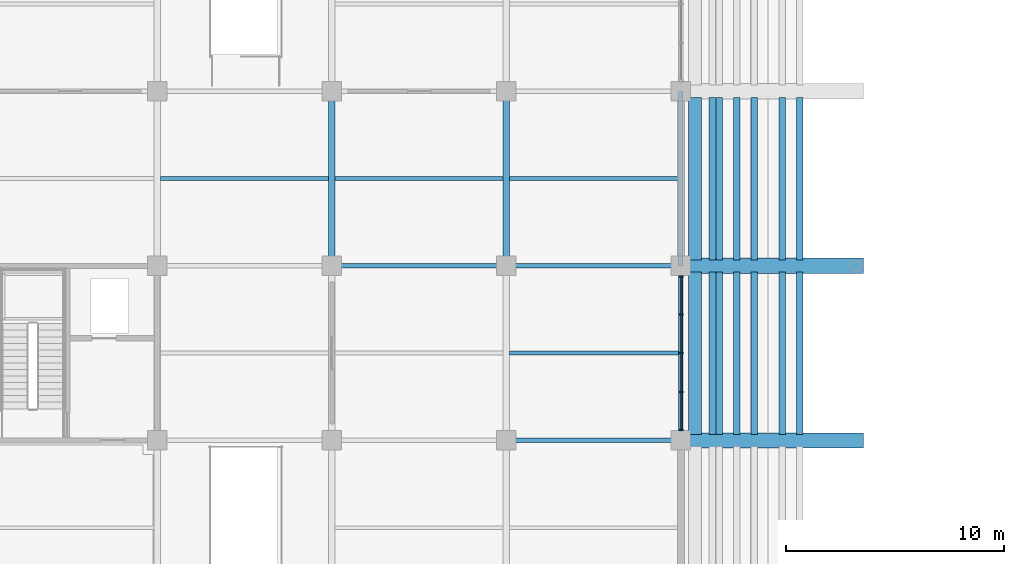
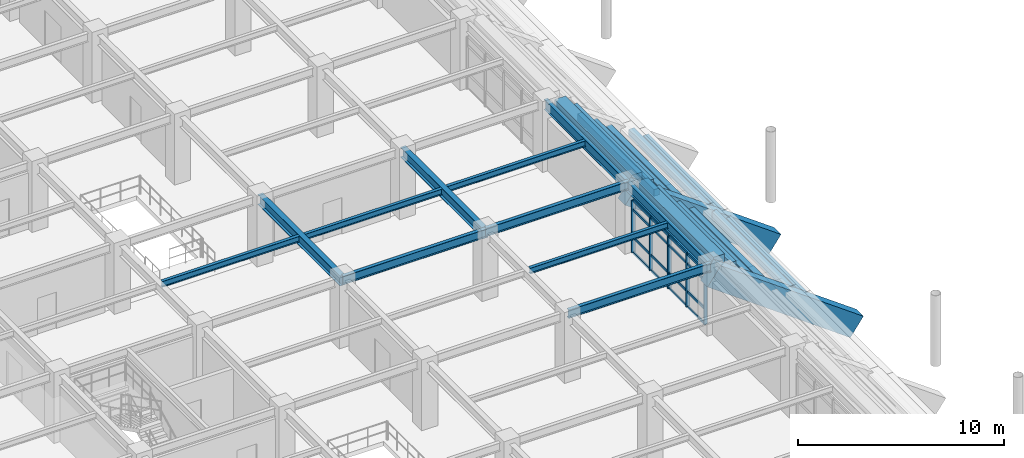
# One storey, part 28 of 118: 27 beams, 21 members, 1 element without a shape of its own.
"""IFC4 building model written with IfcOpenShell, lengths in metres."""

from ifc_helpers import new_model, si_unit, direction, frame, origin, origin_2d, place, context, subcontext, project, spatial, rectangle, i_section, extrude, material, layer, layer_set, material_profile, profile_set, type_object, element, aggregate, save


model = new_model("IFC4")

# Units and contexts
model_context = context("Model", 3, precision=1e-05, world=origin(), true_north=direction((0.0, 1.0)))
body_context = subcontext(model_context, "Body", "Model", "MODEL_VIEW")
ifc_project = project(units=[si_unit("LENGTHUNIT", "METRE"), si_unit("AREAUNIT", "SQUARE_METRE"), si_unit("VOLUMEUNIT", "CUBIC_METRE"), si_unit("PLANEANGLEUNIT", "RADIAN"), si_unit("MASSUNIT", "GRAM", prefix="KILO")], contexts=[model_context])

# Site, building, storey
site_placement = place(None, origin())
site = spatial("IfcSite", under=ifc_project, at=site_placement, CompositionType="ELEMENT")
building_placement = place(site_placement, origin())
building = spatial("IfcBuilding", under=site, at=building_placement, Name="Haebicheon Civic Stadium", CompositionType="ELEMENT")
storey_placement = place(building_placement, frame((0.0, 0.0, 14.39990234375)))
storey = spatial("IfcBuildingStorey", under=building, at=storey_placement, Name="L04", CompositionType="ELEMENT", Elevation=14.39990234375)

# Beams
ifc_material_1 = material(Name="Precast concrete C40/50", Category="concrete")
ifc_material_profile_1 = material_profile(ifc_material_1, rectangle(XDim=0.300048828125, YDim=0.39990234375, at=origin_2d()), Name="PC-LN-300x400")
ifc_profile_set_1 = profile_set([ifc_material_profile_1], Name="Precast concrete C40/50")
beam_type_1 = type_object("IfcBeamType", Name="BM-LN-300x400", PredefinedType="LINTEL", material=ifc_profile_set_1)
for number, where, z_axis, x_axis, name in (
    (1, (69.43994140625, 80.280029296875, -0.10693359375), (0.0, 1.0, 0.0), (-1.0, 0.0, 0.0), "TIER-W-U precast step carrier beam 5.4"),
    (2, (68.639892578125, 80.280029296875, 0.5380859375), (0.0, 1.0, 0.0), (-1.0, 0.0, 0.0), "TIER-W-U precast step carrier beam 5.5"),
    (3, (67.360107421875, 80.280029296875, 1.18212890625), (0.0, 1.0, 0.0), (-1.0, 0.0, 0.0), "TIER-W-U precast step carrier beam 5.6"),
    (4, (66.56005859375, 80.280029296875, 1.8271484375), (0.0, 1.0, 0.0), (-1.0, 0.0, 0.0), "TIER-W-U precast step carrier beam 5.7"),
    (5, (65.760009765625, 80.280029296875, 2.47119140625), (0.0, 1.0, 0.0), (-1.0, 0.0, 0.0), "TIER-W-U precast step carrier beam 5.8"),
    (6, (65.43994140625, 80.280029296875, 3.1162109375), (0.0, 1.0, 0.0), (-1.0, 0.0, 0.0), "TIER-W-U precast step carrier beam 5.9"),
    (7, (69.43994140625, 88.280029296875, -0.10693359375), (0.0, 1.0, 0.0), (-1.0, 0.0, 0.0), "TIER-W-U precast step carrier beam 6.4"),
    (8, (68.639892578125, 88.280029296875, 0.5380859375), (0.0, 1.0, 0.0), (-1.0, 0.0, 0.0), "TIER-W-U precast step carrier beam 6.5"),
    (9, (67.360107421875, 88.280029296875, 1.18212890625), (0.0, 1.0, 0.0), (-1.0, 0.0, 0.0), "TIER-W-U precast step carrier beam 6.6"),
    (10, (66.56005859375, 88.280029296875, 1.8271484375), (0.0, 1.0, 0.0), (-1.0, 0.0, 0.0), "TIER-W-U precast step carrier beam 6.7"),
    (11, (65.760009765625, 88.280029296875, 2.47119140625), (0.0, 1.0, 0.0), (-1.0, 0.0, 0.0), "TIER-W-U precast step carrier beam 6.8"),
    (12, (65.43994140625, 88.280029296875, 3.1162109375), (0.0, 1.0, 0.0), (-1.0, 0.0, 0.0), "TIER-W-U precast step carrier beam 6.9"),
):
    element("IfcBeam", number, at=place(storey_placement, frame(where, z_axis=z_axis, x_axis=x_axis)), inside=storey, type_object=beam_type_1, material=ifc_profile_set_1, Name=name, PredefinedType="LINTEL", context=body_context, shape_type="SweptSolid", body=[
        extrude(rectangle(XDim=0.300048828125, YDim=0.39990234375, at=origin_2d()), origin(), (0.0, 0.0, 1.0), 7.43994140625),
    ])
ifc_material_2 = material(Name="Steel SM355 (S355)", Category="steel")
ifc_material_profile_2 = material_profile(ifc_material_2, i_section(OverallWidth=0.199951171875, OverallDepth=0.5, WebThickness=0.010009765625, FlangeThickness=0.01611328125, at=origin_2d()), Name="H-500x200x10x16")
ifc_profile_set_2 = profile_set([ifc_material_profile_2], Name="Steel SM355 (S355)")
beam_type_2 = type_object("IfcBeamType", Name="BM-ST-H500", PredefinedType="BEAM", material=ifc_profile_set_2)
for number, where, z_axis, x_axis, name in (
    (13, (48.0, 88.0, 3.690185546875), (1.0, 0.0, 0.0), (0.0, 1.0, 0.0), "L04 beam M/7-8"),
    (14, (56.0, 80.0, 3.72998046875), (1.0, 0.0, 0.0), (0.0, 1.0, 0.0), "L04 beam L/8-9"),
    (15, (56.0, 88.0, 3.72998046875), (1.0, 0.0, 0.0), (0.0, 1.0, 0.0), "L04 beam M/8-9"),
):
    element("IfcBeam", number, at=place(storey_placement, frame(where, z_axis=z_axis, x_axis=x_axis)), inside=storey, type_object=beam_type_2, material=ifc_profile_set_2, Name=name, PredefinedType="BEAM", context=body_context, shape_type="SweptSolid", body=[
        extrude(i_section(OverallWidth=0.199951171875, OverallDepth=0.5, WebThickness=0.010009765625, FlangeThickness=0.01611328125, at=origin_2d()), origin(), (0.0, 0.0, 1.0), 8.0),
    ])
ifc_material_3 = material(Name="Steel SM355 (S355)", Category="steel")
ifc_material_profile_3 = material_profile(ifc_material_3, i_section(OverallWidth=0.300048828125, OverallDepth=0.60009765625, WebThickness=0.011962890625, FlangeThickness=0.02001953125, at=origin_2d()), Name="H-600x300x12x20")
ifc_profile_set_3 = profile_set([ifc_material_profile_3], Name="Steel SM355 (S355)")
beam_type_3 = type_object("IfcBeamType", Name="BM-ST-H600A", PredefinedType="BEAM", material=ifc_profile_set_3)
for number, where, z_axis, x_axis, name in (
    (16, (48.0, 88.0, 3.64013671875), (0.0, 1.0, 0.0), (-1.0, 0.0, 0.0), "L04 girder 7/M-N"),
    (17, (56.0, 88.0, 3.64013671875), (0.0, 1.0, 0.0), (-1.0, 0.0, 0.0), "L04 girder 8/M-N"),
):
    element("IfcBeam", number, at=place(storey_placement, frame(where, z_axis=z_axis, x_axis=x_axis)), inside=storey, type_object=beam_type_3, material=ifc_profile_set_3, Name=name, PredefinedType="BEAM", context=body_context, shape_type="SweptSolid", body=[
        extrude(i_section(OverallWidth=0.300048828125, OverallDepth=0.60009765625, WebThickness=0.011962890625, FlangeThickness=0.02001953125, at=origin_2d()), origin(), (0.0, 0.0, 1.0), 8.0),
    ])
ifc_material_4 = material(Name="Precast concrete C40/50", Category="concrete")
ifc_material_profile_4 = material_profile(ifc_material_4, rectangle(XDim=0.60009765625, YDim=0.85009765625, at=origin_2d()), Name="PC-TB-600x850")
ifc_profile_set_4 = profile_set([ifc_material_profile_4], Name="Precast concrete C40/50")
beam_type_4 = type_object("IfcBeamType", Name="BM-TB-600x850", PredefinedType="T_BEAM", material=ifc_profile_set_4)
for number, where, z_axis, x_axis, name in (
    (18, (64.639892578125, 80.280029296875, 3.53515625), (0.0, 1.0, 0.0), (-1.0, 0.0, 0.0), "TIER-W-U upper tier bench carrier beam 5"),
    (19, (64.639892578125, 88.280029296875, 3.53515625), (0.0, 1.0, 0.0), (-1.0, 0.0, 0.0), "TIER-W-U upper tier bench carrier beam 6"),
):
    element("IfcBeam", number, at=place(storey_placement, frame(where, z_axis=z_axis, x_axis=x_axis)), inside=storey, type_object=beam_type_4, material=ifc_profile_set_4, Name=name, PredefinedType="T_BEAM", context=body_context, shape_type="SweptSolid", body=[
        extrude(rectangle(XDim=0.60009765625, YDim=0.85009765625, at=origin_2d()), origin(), (0.0, 0.0, 1.0), 7.43994140625),
    ])

# Curtain wall, members
ifc_material_5 = material(Name="Anodised aluminium and laminated glass", Category="aluminium")
ifc_layer = layer(ifc_material_5, 0.179931640625, Name="Anodised aluminium and laminated glass")
ifc_layer_set = layer_set([ifc_layer], Name="Anodised aluminium and laminated glass")
curtain_wall_type = type_object("IfcCurtainWallType", Name="CW-7100x3100", PredefinedType="NOTDEFINED", material=ifc_layer_set)
curtain_wall_placement = place(storey_placement, origin())
curtain_wall = element("IfcCurtainWall", 20, at=curtain_wall_placement, inside=storey, type_object=curtain_wall_type, material=ifc_layer_set, Name="L04 unitised curtain wall 119", PredefinedType="NOTDEFINED")
ifc_material_6 = material(Name="Anodised aluminium 6063-T6", Category="aluminium")
ifc_material_profile_5 = material_profile(ifc_material_6, rectangle(XDim=0.070068359375, YDim=0.199951171875, at=origin_2d()), Name="ALU-MULL-70x200")
ifc_profile_set_5 = profile_set([ifc_material_profile_5], Name="Anodised aluminium 6063-T6")
member_type_1 = type_object("IfcMemberType", Name="CWM-200x70", PredefinedType="MULLION", material=ifc_profile_set_5)
member_1_placement = place(storey_placement, frame((64.0, 80.485107421875, 0.0), z_axis=(0.0, 0.0, 1.0), x_axis=(0.0, 1.0, 0.0)))
member_1 = element("IfcMember", 21, at=member_1_placement, type_object=member_type_1, material=ifc_profile_set_5, Name="CW-L04-119 vertical mullion 1", PredefinedType="MULLION", context=body_context, shape_type="SweptSolid", body=[
    extrude(rectangle(XDim=0.070068359375, YDim=0.199951171875, at=origin_2d()), origin(), (0.0, 0.0, 1.0), 3.10009765625),
])
member_2_placement = place(storey_placement, frame((64.0, 82.22509765625, 0.0), z_axis=(0.0, 0.0, 1.0), x_axis=(0.0, 1.0, 0.0)))
member_2 = element("IfcMember", 22, at=member_2_placement, type_object=member_type_1, material=ifc_profile_set_5, Name="CW-L04-119 vertical mullion 2", PredefinedType="MULLION", context=body_context, shape_type="SweptSolid", body=[
    extrude(rectangle(XDim=0.070068359375, YDim=0.199951171875, at=origin_2d()), origin(), (0.0, 0.0, 1.0), 3.10009765625),
])
member_3_placement = place(storey_placement, frame((64.0, 84.0, 0.0), z_axis=(0.0, 0.0, 1.0), x_axis=(0.0, 1.0, 0.0)))
member_3 = element("IfcMember", 23, at=member_3_placement, type_object=member_type_1, material=ifc_profile_set_5, Name="CW-L04-119 vertical mullion 3", PredefinedType="MULLION", context=body_context, shape_type="SweptSolid", body=[
    extrude(rectangle(XDim=0.070068359375, YDim=0.199951171875, at=origin_2d()), origin(), (0.0, 0.0, 1.0), 3.10009765625),
])
member_4_placement = place(storey_placement, frame((64.0, 85.77490234375, 0.0), z_axis=(0.0, 0.0, 1.0), x_axis=(0.0, 1.0, 0.0)))
member_4 = element("IfcMember", 24, at=member_4_placement, type_object=member_type_1, material=ifc_profile_set_5, Name="CW-L04-119 vertical mullion 4", PredefinedType="MULLION", context=body_context, shape_type="SweptSolid", body=[
    extrude(rectangle(XDim=0.070068359375, YDim=0.199951171875, at=origin_2d()), origin(), (0.0, 0.0, 1.0), 3.10009765625),
])
member_5_placement = place(storey_placement, frame((64.0, 87.514892578125, 0.0), z_axis=(0.0, 0.0, 1.0), x_axis=(0.0, 1.0, 0.0)))
member_5 = element("IfcMember", 25, at=member_5_placement, type_object=member_type_1, material=ifc_profile_set_5, Name="CW-L04-119 vertical mullion 5", PredefinedType="MULLION", context=body_context, shape_type="SweptSolid", body=[
    extrude(rectangle(XDim=0.070068359375, YDim=0.199951171875, at=origin_2d()), origin(), (0.0, 0.0, 1.0), 3.10009765625),
])
ifc_material_7 = material(Name="Anodised aluminium 6063-T6", Category="aluminium")
ifc_material_profile_6 = material_profile(ifc_material_7, rectangle(XDim=0.070068359375, YDim=0.14990234375, at=origin_2d()), Name="ALU-TRAN-70x150")
ifc_profile_set_6 = profile_set([ifc_material_profile_6], Name="Anodised aluminium 6063-T6")
member_type_2 = type_object("IfcMemberType", Name="CWT-150x70", PredefinedType="NOTDEFINED", material=ifc_profile_set_6)
member_6_placement = place(storey_placement, frame((64.0, 80.52001953125, 0.0), z_axis=(0.0, 1.0, 0.0), x_axis=(-1.0, 0.0, 0.0)))
member_6 = element("IfcMember", 26, at=member_6_placement, type_object=member_type_2, material=ifc_profile_set_6, Name="CW-L04-119 horizontal transom 1.1", ObjectType="TRANSOM", PredefinedType="USERDEFINED", context=body_context, shape_type="SweptSolid", body=[
    extrude(rectangle(XDim=0.070068359375, YDim=0.14990234375, at=origin_2d()), origin(), (0.0, 0.0, 1.0), 1.669921875),
])
member_7_placement = place(storey_placement, frame((64.0, 80.52001953125, 0.900146484375), z_axis=(0.0, 1.0, 0.0), x_axis=(-1.0, 0.0, 0.0)))
member_7 = element("IfcMember", 27, at=member_7_placement, type_object=member_type_2, material=ifc_profile_set_6, Name="CW-L04-119 horizontal transom 1.2", ObjectType="TRANSOM", PredefinedType="USERDEFINED", context=body_context, shape_type="SweptSolid", body=[
    extrude(rectangle(XDim=0.070068359375, YDim=0.14990234375, at=origin_2d()), origin(), (0.0, 0.0, 1.0), 1.669921875),
])
member_8_placement = place(storey_placement, frame((64.0, 80.52001953125, 2.550048828125), z_axis=(0.0, 1.0, 0.0), x_axis=(-1.0, 0.0, 0.0)))
member_8 = element("IfcMember", 28, at=member_8_placement, type_object=member_type_2, material=ifc_profile_set_6, Name="CW-L04-119 horizontal transom 1.3", ObjectType="TRANSOM", PredefinedType="USERDEFINED", context=body_context, shape_type="SweptSolid", body=[
    extrude(rectangle(XDim=0.070068359375, YDim=0.14990234375, at=origin_2d()), origin(), (0.0, 0.0, 1.0), 1.669921875),
])
member_9_placement = place(storey_placement, frame((64.0, 80.52001953125, 3.10009765625), z_axis=(0.0, 1.0, 0.0), x_axis=(-1.0, 0.0, 0.0)))
member_9 = element("IfcMember", 29, at=member_9_placement, type_object=member_type_2, material=ifc_profile_set_6, Name="CW-L04-119 horizontal transom 1.4", ObjectType="TRANSOM", PredefinedType="USERDEFINED", context=body_context, shape_type="SweptSolid", body=[
    extrude(rectangle(XDim=0.070068359375, YDim=0.14990234375, at=origin_2d()), origin(), (0.0, 0.0, 1.0), 1.669921875),
])
member_10_placement = place(storey_placement, frame((64.0, 82.260009765625, 0.0), z_axis=(0.0, 1.0, 0.0), x_axis=(-1.0, 0.0, 0.0)))
member_10 = element("IfcMember", 30, at=member_10_placement, type_object=member_type_2, material=ifc_profile_set_6, Name="CW-L04-119 horizontal transom 2.1", ObjectType="TRANSOM", PredefinedType="USERDEFINED", context=body_context, shape_type="SweptSolid", body=[
    extrude(rectangle(XDim=0.070068359375, YDim=0.14990234375, at=origin_2d()), origin(), (0.0, 0.0, 1.0), 1.705078125),
])
member_11_placement = place(storey_placement, frame((64.0, 82.260009765625, 0.900146484375), z_axis=(0.0, 1.0, 0.0), x_axis=(-1.0, 0.0, 0.0)))
member_11 = element("IfcMember", 31, at=member_11_placement, type_object=member_type_2, material=ifc_profile_set_6, Name="CW-L04-119 horizontal transom 2.2", ObjectType="TRANSOM", PredefinedType="USERDEFINED", context=body_context, shape_type="SweptSolid", body=[
    extrude(rectangle(XDim=0.070068359375, YDim=0.14990234375, at=origin_2d()), origin(), (0.0, 0.0, 1.0), 1.705078125),
])
member_12_placement = place(storey_placement, frame((64.0, 82.260009765625, 2.550048828125), z_axis=(0.0, 1.0, 0.0), x_axis=(-1.0, 0.0, 0.0)))
member_12 = element("IfcMember", 32, at=member_12_placement, type_object=member_type_2, material=ifc_profile_set_6, Name="CW-L04-119 horizontal transom 2.3", ObjectType="TRANSOM", PredefinedType="USERDEFINED", context=body_context, shape_type="SweptSolid", body=[
    extrude(rectangle(XDim=0.070068359375, YDim=0.14990234375, at=origin_2d()), origin(), (0.0, 0.0, 1.0), 1.705078125),
])
member_13_placement = place(storey_placement, frame((64.0, 82.260009765625, 3.10009765625), z_axis=(0.0, 1.0, 0.0), x_axis=(-1.0, 0.0, 0.0)))
member_13 = element("IfcMember", 33, at=member_13_placement, type_object=member_type_2, material=ifc_profile_set_6, Name="CW-L04-119 horizontal transom 2.4", ObjectType="TRANSOM", PredefinedType="USERDEFINED", context=body_context, shape_type="SweptSolid", body=[
    extrude(rectangle(XDim=0.070068359375, YDim=0.14990234375, at=origin_2d()), origin(), (0.0, 0.0, 1.0), 1.705078125),
])
member_14_placement = place(storey_placement, frame((64.0, 84.034912109375, 0.0), z_axis=(0.0, 1.0, 0.0), x_axis=(-1.0, 0.0, 0.0)))
member_14 = element("IfcMember", 34, at=member_14_placement, type_object=member_type_2, material=ifc_profile_set_6, Name="CW-L04-119 horizontal transom 3.1", ObjectType="TRANSOM", PredefinedType="USERDEFINED", context=body_context, shape_type="SweptSolid", body=[
    extrude(rectangle(XDim=0.070068359375, YDim=0.14990234375, at=origin_2d()), origin(), (0.0, 0.0, 1.0), 1.705078125),
])
member_15_placement = place(storey_placement, frame((64.0, 84.034912109375, 0.900146484375), z_axis=(0.0, 1.0, 0.0), x_axis=(-1.0, 0.0, 0.0)))
member_15 = element("IfcMember", 35, at=member_15_placement, type_object=member_type_2, material=ifc_profile_set_6, Name="CW-L04-119 horizontal transom 3.2", ObjectType="TRANSOM", PredefinedType="USERDEFINED", context=body_context, shape_type="SweptSolid", body=[
    extrude(rectangle(XDim=0.070068359375, YDim=0.14990234375, at=origin_2d()), origin(), (0.0, 0.0, 1.0), 1.705078125),
])
member_16_placement = place(storey_placement, frame((64.0, 84.034912109375, 2.550048828125), z_axis=(0.0, 1.0, 0.0), x_axis=(-1.0, 0.0, 0.0)))
member_16 = element("IfcMember", 36, at=member_16_placement, type_object=member_type_2, material=ifc_profile_set_6, Name="CW-L04-119 horizontal transom 3.3", ObjectType="TRANSOM", PredefinedType="USERDEFINED", context=body_context, shape_type="SweptSolid", body=[
    extrude(rectangle(XDim=0.070068359375, YDim=0.14990234375, at=origin_2d()), origin(), (0.0, 0.0, 1.0), 1.705078125),
])
member_17_placement = place(storey_placement, frame((64.0, 84.034912109375, 3.10009765625), z_axis=(0.0, 1.0, 0.0), x_axis=(-1.0, 0.0, 0.0)))
member_17 = element("IfcMember", 37, at=member_17_placement, type_object=member_type_2, material=ifc_profile_set_6, Name="CW-L04-119 horizontal transom 3.4", ObjectType="TRANSOM", PredefinedType="USERDEFINED", context=body_context, shape_type="SweptSolid", body=[
    extrude(rectangle(XDim=0.070068359375, YDim=0.14990234375, at=origin_2d()), origin(), (0.0, 0.0, 1.0), 1.705078125),
])
member_18_placement = place(storey_placement, frame((64.0, 85.81005859375, 0.0), z_axis=(0.0, 1.0, 0.0), x_axis=(-1.0, 0.0, 0.0)))
member_18 = element("IfcMember", 38, at=member_18_placement, type_object=member_type_2, material=ifc_profile_set_6, Name="CW-L04-119 horizontal transom 4.1", ObjectType="TRANSOM", PredefinedType="USERDEFINED", context=body_context, shape_type="SweptSolid", body=[
    extrude(rectangle(XDim=0.070068359375, YDim=0.14990234375, at=origin_2d()), origin(), (0.0, 0.0, 1.0), 1.669921875),
])
member_19_placement = place(storey_placement, frame((64.0, 85.81005859375, 0.900146484375), z_axis=(0.0, 1.0, 0.0), x_axis=(-1.0, 0.0, 0.0)))
member_19 = element("IfcMember", 39, at=member_19_placement, type_object=member_type_2, material=ifc_profile_set_6, Name="CW-L04-119 horizontal transom 4.2", ObjectType="TRANSOM", PredefinedType="USERDEFINED", context=body_context, shape_type="SweptSolid", body=[
    extrude(rectangle(XDim=0.070068359375, YDim=0.14990234375, at=origin_2d()), origin(), (0.0, 0.0, 1.0), 1.669921875),
])
member_20_placement = place(storey_placement, frame((64.0, 85.81005859375, 2.550048828125), z_axis=(0.0, 1.0, 0.0), x_axis=(-1.0, 0.0, 0.0)))
member_20 = element("IfcMember", 40, at=member_20_placement, type_object=member_type_2, material=ifc_profile_set_6, Name="CW-L04-119 horizontal transom 4.3", ObjectType="TRANSOM", PredefinedType="USERDEFINED", context=body_context, shape_type="SweptSolid", body=[
    extrude(rectangle(XDim=0.070068359375, YDim=0.14990234375, at=origin_2d()), origin(), (0.0, 0.0, 1.0), 1.669921875),
])
member_21_placement = place(storey_placement, frame((64.0, 85.81005859375, 3.10009765625), z_axis=(0.0, 1.0, 0.0), x_axis=(-1.0, 0.0, 0.0)))
member_21 = element("IfcMember", 41, at=member_21_placement, type_object=member_type_2, material=ifc_profile_set_6, Name="CW-L04-119 horizontal transom 4.4", ObjectType="TRANSOM", PredefinedType="USERDEFINED", context=body_context, shape_type="SweptSolid", body=[
    extrude(rectangle(XDim=0.070068359375, YDim=0.14990234375, at=origin_2d()), origin(), (0.0, 0.0, 1.0), 1.669921875),
])
aggregate(curtain_wall, [member_1, member_2, member_3, member_4, member_5, member_6, member_7, member_8, member_9, member_10, member_11, member_12, member_13, member_14, member_15, member_16, member_17, member_18, member_19, member_20, member_21])

# Beams
ifc_material_8 = material(Name="Steel SM355 (S355)", Category="steel")
ifc_material_profile_7 = material_profile(ifc_material_8, i_section(OverallWidth=0.175048828125, OverallDepth=0.35009765625, WebThickness=0.007080078125, FlangeThickness=0.010986328125, at=origin_2d()), Name="H-350x175x7x11")
ifc_profile_set_7 = profile_set([ifc_material_profile_7], Name="Steel SM355 (S355)")
beam_type_5 = type_object("IfcBeamType", Name="JST-ST-H350", PredefinedType="JOIST", material=ifc_profile_set_7)
for number, where, z_axis, x_axis, name in (
    (42, (40.14990234375, 92.0, 3.76513671875), (1.0, 0.0, 0.0), (0.0, 1.0, 0.0), "L04 secondary joist 05-11"),
    (43, (48.14990234375, 92.0, 3.76513671875), (1.0, 0.0, 0.0), (0.0, 1.0, 0.0), "L04 secondary joist 06-11"),
):
    element("IfcBeam", number, at=place(storey_placement, frame(where, z_axis=z_axis, x_axis=x_axis)), inside=storey, type_object=beam_type_5, material=ifc_profile_set_7, Name=name, PredefinedType="JOIST", context=body_context, shape_type="SweptSolid", body=[
        extrude(i_section(OverallWidth=0.175048828125, OverallDepth=0.35009765625, WebThickness=0.007080078125, FlangeThickness=0.010986328125, at=origin_2d()), origin(), (0.0, 0.0, 1.0), 7.7001953125),
    ])
for number, where, z_axis, x_axis, name in (
    (44, (56.14990234375, 84.0, 3.80517578125), (1.0, 0.0, 0.0), (0.0, 1.0, 0.0), "L04 secondary joist 07-10"),
    (45, (56.14990234375, 92.0, 3.80517578125), (1.0, 0.0, 0.0), (0.0, 1.0, 0.0), "L04 secondary joist 07-11"),
):
    element("IfcBeam", number, at=place(storey_placement, frame(where, z_axis=z_axis, x_axis=x_axis)), inside=storey, type_object=beam_type_5, material=ifc_profile_set_7, Name=name, PredefinedType="JOIST", context=body_context, shape_type="SweptSolid", body=[
        extrude(i_section(OverallWidth=0.175048828125, OverallDepth=0.35009765625, WebThickness=0.007080078125, FlangeThickness=0.010986328125, at=origin_2d()), origin(), (0.0, 0.0, 1.0), 7.75),
    ])
ifc_material_9 = material(Name="Precast concrete C40/50", Category="concrete")
ifc_material_profile_8 = material_profile(ifc_material_9, rectangle(XDim=0.699951171875, YDim=1.25, at=origin_2d()), Name="PC-RK-700x1250")
ifc_profile_set_8 = profile_set([ifc_material_profile_8], Name="Precast concrete C40/50")
beam_type_6 = type_object("IfcBeamType", Name="RK-PC-700x1250", PredefinedType="USERDEFINED", material=ifc_profile_set_8)
for number, where, z_axis, x_axis, name in (
    (46, (72.0, 80.0, -2.46484375), (-0.809608095134, 0.0, 0.586970810428), (0.0, -1.0, 0.0), "TIER-W-U inclined precast raker beam 5"),
    (47, (72.0, 88.0, -2.46484375), (-0.809608095134, 0.0, 0.586970810428), (0.0, -1.0, 0.0), "TIER-W-U inclined precast raker beam 6"),
):
    element("IfcBeam", number, at=place(storey_placement, frame(where, z_axis=z_axis, x_axis=x_axis)), inside=storey, type_object=beam_type_6, material=ifc_profile_set_8, Name=name, ObjectType="RAKER BEAM", PredefinedType="USERDEFINED", context=body_context, shape_type="SweptSolid", body=[
        extrude(rectangle(XDim=0.699951171875, YDim=1.25, at=origin_2d()), origin(), (0.0, 0.0, 1.0), 9.88134765625),
    ])
ifc_material_10 = material(Name="Steel SM355 (S355)", Category="steel")
ifc_material_profile_9 = material_profile(ifc_material_10, i_section(OverallWidth=0.199951171875, OverallDepth=0.60009765625, WebThickness=0.010986328125, FlangeThickness=0.01708984375, at=origin_2d()), Name="H-600x200x11x17")
ifc_profile_set_9 = profile_set([ifc_material_profile_9], Name="Steel SM355 (S355)")
beam_type_7 = type_object("IfcBeamType", Name="SPD-ST-H600B", PredefinedType="SPANDREL", material=ifc_profile_set_9)
for number, where, z_axis, x_axis, name in (
    (48, (64.0, 80.0, 3.656005859375), (0.0, 1.0, 0.0), (-1.0, 0.0, 0.0), "L04 girder 9/L-M"),
    (49, (64.0, 88.0, 3.656005859375), (0.0, 1.0, 0.0), (-1.0, 0.0, 0.0), "L04 girder 9/M-N"),
):
    element("IfcBeam", number, at=place(storey_placement, frame(where, z_axis=z_axis, x_axis=x_axis)), inside=storey, type_object=beam_type_7, material=ifc_profile_set_9, Name=name, PredefinedType="SPANDREL", context=body_context, shape_type="SweptSolid", body=[
        extrude(i_section(OverallWidth=0.199951171875, OverallDepth=0.60009765625, WebThickness=0.010986328125, FlangeThickness=0.01708984375, at=origin_2d()), origin(), (0.0, 0.0, 1.0), 8.0),
    ])

save(model, "model.ifc")
